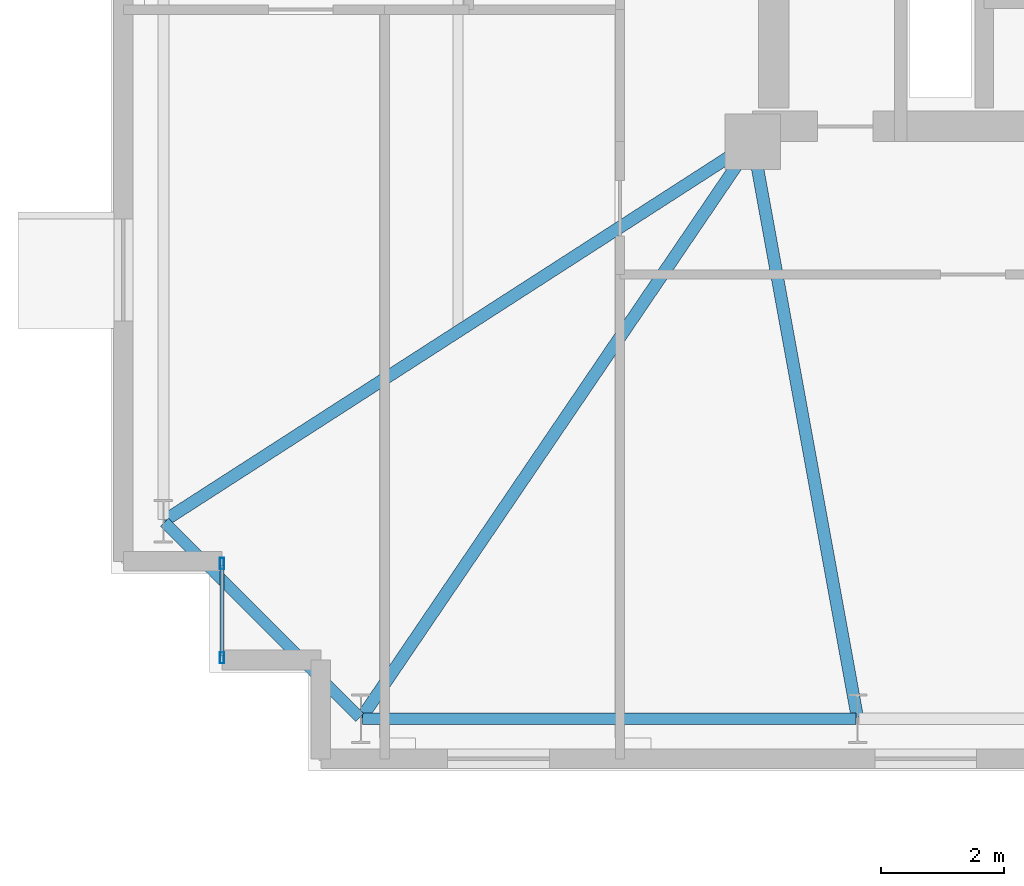
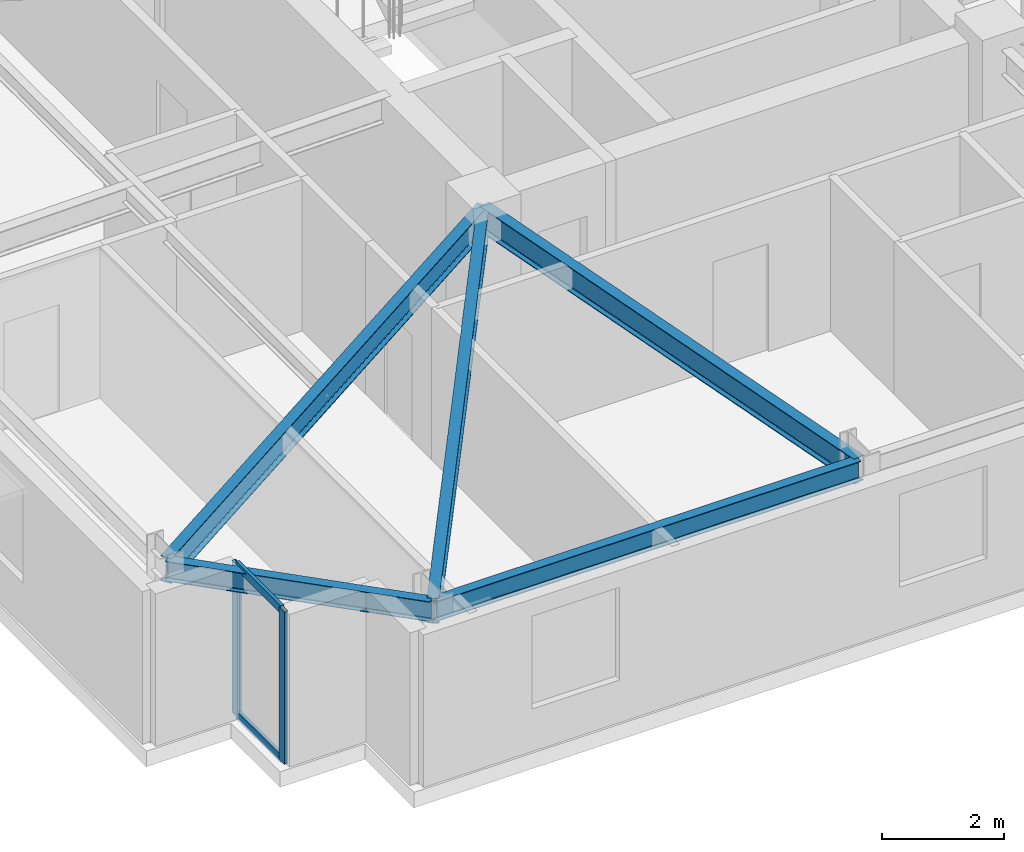
# One storey, part 3 of 17: 5 beams, 4 members, 1 element without a shape of its own.
"""IFC4 building model written with IfcOpenShell, lengths in metres."""

from ifc_helpers import new_model, si_unit, direction, frame, origin, origin_2d, place, context, subcontext, project, spatial, hollow_rectangle, i_section, extrude, material, layer, layer_set, material_profile, profile_set, type_object, element, aggregate, save


model = new_model("IFC4")

# Units and contexts
model_context = context("Model", 3, precision=1e-05, world=origin(), true_north=direction((0.0, 1.0)))
body_context = subcontext(model_context, "Body", "Model", "MODEL_VIEW")
ifc_project = project(units=[si_unit("LENGTHUNIT", "METRE"), si_unit("AREAUNIT", "SQUARE_METRE"), si_unit("VOLUMEUNIT", "CUBIC_METRE"), si_unit("PLANEANGLEUNIT", "RADIAN"), si_unit("MASSUNIT", "GRAM", prefix="KILO")], contexts=[model_context])

# Site, building, storey
site_placement = place(None, origin())
site = spatial("IfcSite", under=ifc_project, at=site_placement, CompositionType="ELEMENT")
building_placement = place(site_placement, origin())
building = spatial("IfcBuilding", under=site, at=building_placement, Name="Qobustan Lattice House", CompositionType="ELEMENT")
storey_placement = place(building_placement, frame((0.0, 0.0, 157.800048828125)))
storey = spatial("IfcBuildingStorey", under=building, at=storey_placement, Name="L44", CompositionType="ELEMENT", Elevation=157.800048828125)

# Beams
ifc_material_1 = material(Name="Steel S355", Category="steel")
ifc_material_profile_1 = material_profile(ifc_material_1, i_section(OverallWidth=0.199951171875, OverallDepth=0.5, WebThickness=0.01025390625, FlangeThickness=0.01611328125, FilletRadius=0.02099609375, at=origin_2d()), Name="IPE500")
ifc_profile_set_1 = profile_set([ifc_material_profile_1], Name="Steel S355")
beam_type_1 = type_object("IfcBeamType", Name="BM-FLG-IPE500", PredefinedType="USERDEFINED", material=ifc_profile_set_1)
beam_1_placement = place(storey_placement, frame((-25.135986328125, -14.92919921875, 2.7900390625), z_axis=(0.561834572616, 0.827249607442, 0.0), x_axis=(-0.827249607442, 0.561834572616, 0.0)))
element("IfcBeam", 1, at=beam_1_placement, inside=storey, type_object=beam_type_1, Name="L44 primary floor girder RAD-S1W", ObjectType="GIRDER", PredefinedType="USERDEFINED", context=body_context, shape_type="SweptSolid", body=[
    extrude(i_section(OverallWidth=0.199951171875, OverallDepth=0.5, WebThickness=0.01025390625, FlangeThickness=0.01611328125, FilletRadius=0.02099609375, at=origin_2d()), origin(), (0.0, 0.0, 1.0), 11.25244140625),
])
beam_2_placement = place(storey_placement, frame((-17.1044921875, -14.92529296875, 2.7900390625), z_axis=(-0.178871801984, 0.983872389314, 0.0), x_axis=(-0.983872389314, -0.178871801984, 0.0)))
element("IfcBeam", 2, at=beam_2_placement, inside=storey, type_object=beam_type_1, Name="L44 primary floor girder RAD-S2", ObjectType="GIRDER", PredefinedType="USERDEFINED", context=body_context, shape_type="SweptSolid", body=[
    extrude(i_section(OverallWidth=0.199951171875, OverallDepth=0.5, WebThickness=0.01025390625, FlangeThickness=0.01611328125, FilletRadius=0.02099609375, at=origin_2d()), origin(), (0.0, 0.0, 1.0), 9.453125),
])
beam_3_placement = place(storey_placement, frame((-28.3291015625, -11.736572265625, 2.7900390625), z_axis=(0.840746836292, 0.5414284415, 0.0), x_axis=(-0.5414284415, 0.840746836292, 0.0)))
element("IfcBeam", 3, at=beam_3_placement, inside=storey, type_object=beam_type_1, Name="L44 primary floor girder RAD-W4", ObjectType="GIRDER", PredefinedType="USERDEFINED", context=body_context, shape_type="SweptSolid", body=[
    extrude(i_section(OverallWidth=0.199951171875, OverallDepth=0.5, WebThickness=0.01025390625, FlangeThickness=0.01611328125, FilletRadius=0.02099609375, at=origin_2d()), origin(), (0.0, 0.0, 1.0), 11.30908203125),
])
ifc_material_2 = material(Name="Steel S355", Category="steel")
ifc_material_profile_2 = material_profile(ifc_material_2, i_section(OverallWidth=0.179931640625, OverallDepth=0.39990234375, WebThickness=0.008544921875, FlangeThickness=0.013427734375, FilletRadius=0.02099609375, at=origin_2d()), Name="IPE400")
ifc_profile_set_2 = profile_set([ifc_material_profile_2], Name="Steel S355")
beam_type_2 = type_object("IfcBeamType", Name="BM-SPD-IPE400", PredefinedType="SPANDREL", material=ifc_profile_set_2)
beam_4_placement = place(storey_placement, frame((-25.125, -14.949951171875, 2.83984375), z_axis=(1.0, 0.0, 0.0), x_axis=(0.0, 1.0, 0.0)))
element("IfcBeam", 4, at=beam_4_placement, inside=storey, type_object=beam_type_2, Name="L44 perimeter spandrel S1-S2", PredefinedType="SPANDREL", context=body_context, shape_type="SweptSolid", body=[
    extrude(i_section(OverallWidth=0.179931640625, OverallDepth=0.39990234375, WebThickness=0.008544921875, FlangeThickness=0.013427734375, FilletRadius=0.02099609375, at=origin_2d()), origin(), (0.0, 0.0, 1.0), 8.0),
])
beam_5_placement = place(storey_placement, frame((-28.332275390625, -11.767578125, 2.83984375), z_axis=(0.707079505568, -0.707134055753, 0.0), x_axis=(0.707134055753, 0.707079505568, 0.0)))
element("IfcBeam", 5, at=beam_5_placement, inside=storey, type_object=beam_type_2, Name="L44 perimeter spandrel W4-S1", PredefinedType="SPANDREL", context=body_context, shape_type="SweptSolid", body=[
    extrude(i_section(OverallWidth=0.179931640625, OverallDepth=0.39990234375, WebThickness=0.008544921875, FlangeThickness=0.013427734375, FilletRadius=0.02099609375, at=origin_2d()), origin(), (0.0, 0.0, 1.0), 4.4755859375),
])

# Curtain wall, members
ifc_material_3 = material(Name="Anodised aluminium and low-E glazing", Category="aluminium")
ifc_layer = layer(ifc_material_3, 0.219970703125)
ifc_layer_set = layer_set([ifc_layer], Name="Anodised aluminium and low-E glazing")
curtain_wall_type = type_object("IfcCurtainWallType", Name="CW-FAC-02", PredefinedType="USERDEFINED", material=ifc_layer_set)
curtain_wall_placement = place(storey_placement, origin())
curtain_wall = element("IfcCurtainWall", 6, at=curtain_wall_placement, inside=storey, type_object=curtain_wall_type, Name="L44 serrated corner faceted glazing 3", ObjectType="CURTAIN WALL", PredefinedType="USERDEFINED")
ifc_material_4 = material(Name="Anodised aluminium EN AW-6063 T6", Category="aluminium")
ifc_material_profile_3 = material_profile(ifc_material_4, hollow_rectangle(XDim=0.070068359375, YDim=0.179931640625, WallThickness=0.00439453125, at=origin_2d()), Name="CWM-180x70")
ifc_profile_set_3 = profile_set([ifc_material_profile_3], Name="Anodised aluminium EN AW-6063 T6")
member_type_1 = type_object("IfcMemberType", Name="CWM-STD-180", PredefinedType="MULLION", material=ifc_profile_set_3)
member_1_placement = place(storey_placement, frame((-27.39990234375, -13.965087890625, 0.0), z_axis=(0.0, 0.0, 1.0), x_axis=(-1.0, 0.0, 0.0)))
member_1 = element("IfcMember", 7, at=member_1_placement, type_object=member_type_1, Name="CW-F2 mullion 1", PredefinedType="MULLION", context=body_context, shape_type="SweptSolid", body=[
    extrude(hollow_rectangle(XDim=0.070068359375, YDim=0.179931640625, WallThickness=0.00439453125, at=origin_2d()), origin(), (0.0, 0.0, 1.0), 3.0400390625),
])
member_2_placement = place(storey_placement, frame((-27.39990234375, -12.43505859375, 0.0), z_axis=(0.0, 0.0, 1.0), x_axis=(-1.0, 0.0, 0.0)))
member_2 = element("IfcMember", 8, at=member_2_placement, type_object=member_type_1, Name="CW-F2 mullion 2", PredefinedType="MULLION", context=body_context, shape_type="SweptSolid", body=[
    extrude(hollow_rectangle(XDim=0.070068359375, YDim=0.179931640625, WallThickness=0.00439453125, at=origin_2d()), origin(), (0.0, 0.0, 1.0), 3.0400390625),
])
ifc_material_5 = material(Name="Anodised aluminium EN AW-6063 T6", Category="aluminium")
ifc_material_profile_4 = material_profile(ifc_material_5, hollow_rectangle(XDim=0.06494140625, YDim=0.159912109375, WallThickness=0.00390625, at=origin_2d()), Name="CWT-160x65")
ifc_profile_set_4 = profile_set([ifc_material_profile_4], Name="Anodised aluminium EN AW-6063 T6")
member_type_2 = type_object("IfcMemberType", Name="CWT-HOR-160", PredefinedType="USERDEFINED", material=ifc_profile_set_4)
member_3_placement = place(storey_placement, frame((-27.39990234375, -13.929931640625, 0.032470703125), z_axis=(0.0, 1.0, 0.0), x_axis=(-1.0, 0.0, 0.0)))
member_3 = element("IfcMember", 9, at=member_3_placement, type_object=member_type_2, Name="CW-F2 transom 1.1", ObjectType="TRANSOM", PredefinedType="USERDEFINED", context=body_context, shape_type="SweptSolid", body=[
    extrude(hollow_rectangle(XDim=0.06494140625, YDim=0.159912109375, WallThickness=0.00390625, at=origin_2d()), origin(), (0.0, 0.0, 1.0), 1.4599609375),
])
member_4_placement = place(storey_placement, frame((-27.39990234375, -13.929931640625, 3.007568359375), z_axis=(0.0, 1.0, 0.0), x_axis=(-1.0, 0.0, 0.0)))
member_4 = element("IfcMember", 10, at=member_4_placement, type_object=member_type_2, Name="CW-F2 transom 1.2", ObjectType="TRANSOM", PredefinedType="USERDEFINED", context=body_context, shape_type="SweptSolid", body=[
    extrude(hollow_rectangle(XDim=0.06494140625, YDim=0.159912109375, WallThickness=0.00390625, at=origin_2d()), origin(), (0.0, 0.0, 1.0), 1.4599609375),
])
aggregate(curtain_wall, [member_1, member_2, member_3, member_4])

save(model, "model.ifc")
